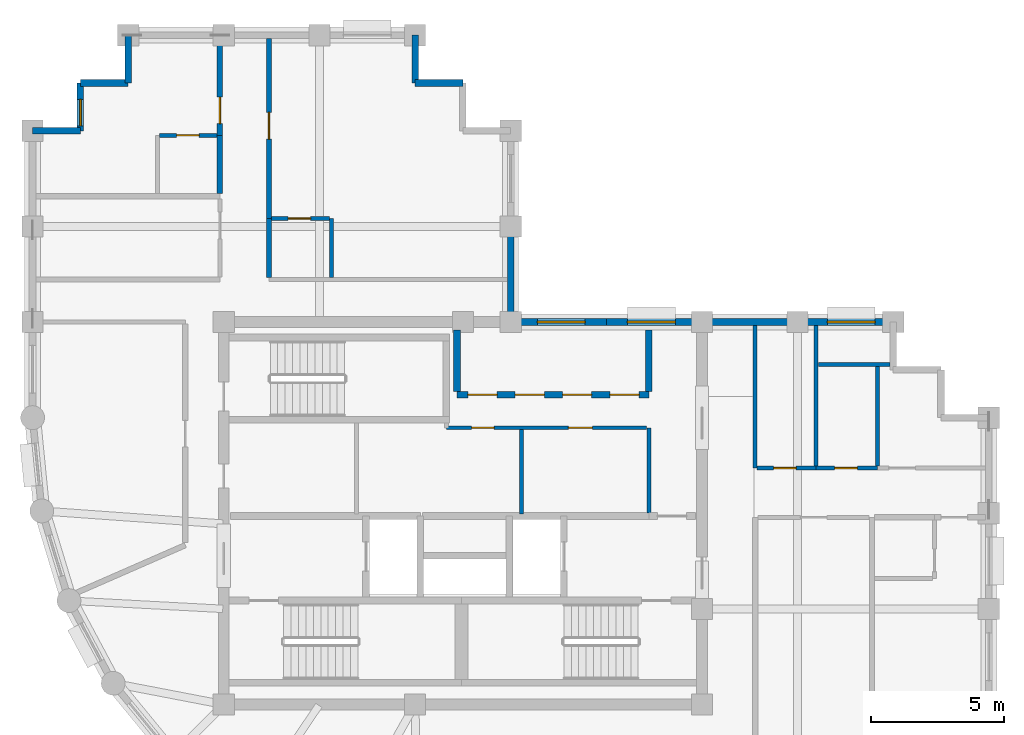
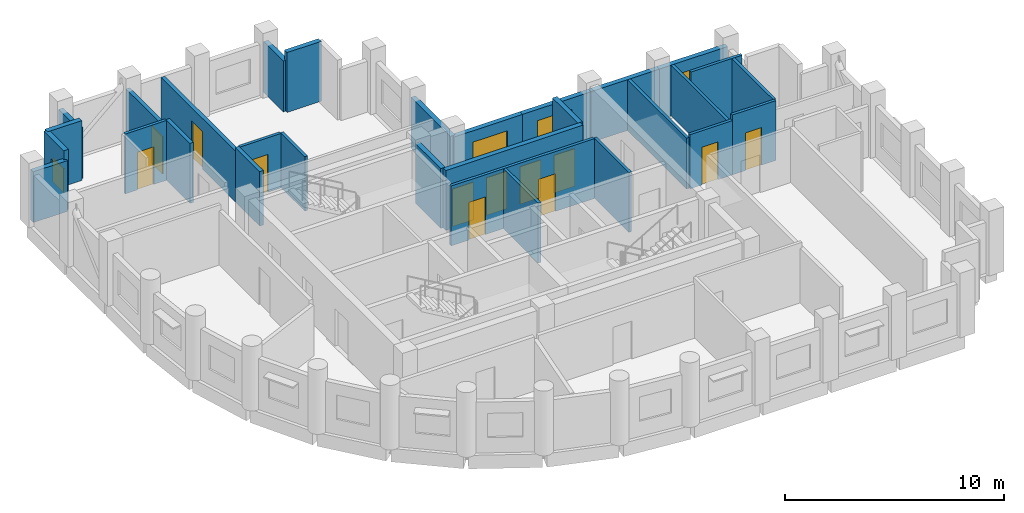
# One storey, part 4 of 7: 30 walls, 12 doors, 4 windows, 16 openings.
"""IFC4 building model written with IfcOpenShell, lengths in metres."""

from ifc_helpers import new_model, si_unit, direction, frame, frame_2d, origin, place, context, subcontext, project, spatial, rectangle, extrude, material, layer, layer_set, type_object, element, fill, save


model = new_model("IFC4")

# Units and contexts
model_context = context("Model", 3, precision=1e-05, world=origin(), true_north=direction((0.0, 1.0)))
body_context = subcontext(model_context, "Body", "Model", "MODEL_VIEW")
ifc_project = project(units=[si_unit("LENGTHUNIT", "METRE"), si_unit("AREAUNIT", "SQUARE_METRE"), si_unit("VOLUMEUNIT", "CUBIC_METRE"), si_unit("PLANEANGLEUNIT", "RADIAN"), si_unit("MASSUNIT", "GRAM", prefix="KILO")], contexts=[model_context])

# Site, building, storey
site_placement = place(None, origin())
site = spatial("IfcSite", under=ifc_project, at=site_placement, CompositionType="ELEMENT")
building_placement = place(site_placement, origin())
building = spatial("IfcBuilding", under=site, at=building_placement, Name="Solnavia Interchange Tower", CompositionType="ELEMENT")
storey_placement = place(building_placement, frame((0.0, 0.0, 235.39990234375)))
storey = spatial("IfcBuildingStorey", under=building, at=storey_placement, Name="L59", CompositionType="ELEMENT", Elevation=235.39990234375)

# Wall
ifc_material_1 = material(Name="Gypsum Acoustic Twin-Stud & Mineral Wool", Category="gypsum")
ifc_layer_1 = layer(ifc_material_1, 0.199951171875)
ifc_layer_set_1 = layer_set([ifc_layer_1], Name="Gypsum Acoustic Twin-Stud & Mineral Wool")
wall_type_1 = type_object("IfcWallType", Name="Wall-ApartmentParty-200", PredefinedType="PARTITIONING", material=ifc_layer_set_1)
wall_1_placement = place(storey_placement, frame((14.25, 30.033935546875, 0.0), z_axis=(0.0, 0.0, 1.0), x_axis=(0.0, 1.0, 0.0)))
element("IfcWall", 1, at=wall_1_placement, inside=storey, type_object=wall_type_1, Name="PTW-L59-28 Interior partition wall", PredefinedType="PARTITIONING", context=body_context, shape_type="SweptSolid", body=[
    extrude(rectangle(XDim=2.196044921875, YDim=0.199951171875, at=frame_2d((1.09814453125, 0.0))), origin(), (0.0, 0.0, 1.0), 3.335205078125),
])

# Wall, opening, door
wall_2_placement = place(storey_placement, frame((14.25, 32.22998046875, 0.0), z_axis=(0.0, 0.0, 1.0), x_axis=(0.0, 1.0, 0.0)))
wall_2 = element("IfcWall", 2, at=wall_2_placement, inside=storey, type_object=wall_type_1, Name="PTW-L59-29 Interior partition wall", PredefinedType="PARTITIONING", context=body_context, shape_type="SweptSolid", body=[
    extrude(rectangle(XDim=3.64111328125, YDim=0.199951171875, at=frame_2d((1.820556640625, 0.0))), origin(), (0.0, 0.0, 1.0), 2.830078125),
])
opening_1_placement = place(wall_2_placement, frame((0.43896484375, 0.0, 0.0)))
opening_1 = element("IfcOpeningElement", 3, at=opening_1_placement, cuts=wall_2, Name="Opening DR-06", PredefinedType="OPENING", context=body_context, shape_type="SweptSolid", body=[
    extrude(rectangle(XDim=1.0, YDim=2.10009765625, at=frame_2d((0.5, 1.050048828125))), frame((0.0, 0.10986328125, 0.0), z_axis=(0.0, -1.0, 0.0), x_axis=(1.0, 0.0, 0.0)), (0.0, 0.0, 1.0), 0.219970703125),
])
ifc_material_2 = material(Name="Engineered Timber Acoustic Fire Door", Category="wood")
door_type_1 = type_object("IfcDoorType", Name="Door-FlatEntry-1000x2100", OperationType="SINGLE_SWING_LEFT", PredefinedType="DOOR", material=ifc_material_2)
door_1_placement = place(opening_1_placement, origin())
door_1 = element("IfcDoor", 4, at=door_1_placement, inside=storey, type_object=door_type_1, Name="DR-L59-13 Interior room door", OperationType="SINGLE_SWING_RIGHT", OverallHeight=2.10009765625, OverallWidth=1.0, PredefinedType="DOOR", context=body_context, shape_type="SweptSolid", body=[
    extrude(rectangle(XDim=1.0, YDim=2.10009765625, at=frame_2d((0.5, 1.050048828125))), frame((0.0, 0.02490234375, 0.0), z_axis=(0.0, -1.0, 0.0), x_axis=(1.0, 0.0, 0.0)), (0.0, 0.0, 1.0), 0.050048828125),
])
fill(opening_1, door_1)

# Wall
wall_3_placement = place(storey_placement, frame((16.10009765625, 26.87890625, 0.0), z_axis=(0.0, 0.0, 1.0), x_axis=(0.0, 1.0, 0.0)))
element("IfcWall", 5, at=wall_3_placement, inside=storey, type_object=wall_type_1, Name="PTW-L59-33 Interior partition wall", PredefinedType="PARTITIONING", context=body_context, shape_type="SweptSolid", body=[
    extrude(rectangle(XDim=2.22119140625, YDim=0.199951171875, at=frame_2d((1.110595703125, 0.0))), origin(), (0.0, 0.0, 1.0), 3.030029296875),
])

# Wall, opening, door
wall_4_placement = place(storey_placement, frame((16.10009765625, 29.10009765625, 0.0), z_axis=(0.0, 0.0, 1.0), x_axis=(0.0, 1.0, 0.0)))
wall_4 = element("IfcWall", 6, at=wall_4_placement, inside=storey, type_object=wall_type_1, Name="PTW-L59-34 Interior partition wall", PredefinedType="PARTITIONING", context=body_context, shape_type="SweptSolid", body=[
    extrude(rectangle(XDim=6.77099609375, YDim=0.199951171875, at=frame_2d((3.385498046875, 0.0))), origin(), (0.0, 0.0, 1.0), 2.830078125),
])
opening_2_placement = place(wall_4_placement, frame((2.989990234375, 0.0, 0.0)))
opening_2 = element("IfcOpeningElement", 7, at=opening_2_placement, cuts=wall_4, Name="Opening DR-06", PredefinedType="OPENING", context=body_context, shape_type="SweptSolid", body=[
    extrude(rectangle(XDim=1.0, YDim=2.10009765625, at=frame_2d((0.5, 1.050048828125))), frame((0.0, 0.10986328125, 0.0), z_axis=(0.0, -1.0, 0.0), x_axis=(1.0, 0.0, 0.0)), (0.0, 0.0, 1.0), 0.219970703125),
])
door_2_placement = place(opening_2_placement, origin())
door_2 = element("IfcDoor", 8, at=door_2_placement, inside=storey, type_object=door_type_1, Name="DR-L59-15 Interior room door", OperationType="SINGLE_SWING_LEFT", OverallHeight=2.10009765625, OverallWidth=1.0, PredefinedType="DOOR", context=body_context, shape_type="SweptSolid", body=[
    extrude(rectangle(XDim=1.0, YDim=2.10009765625, at=frame_2d((0.5, 1.050048828125))), frame((0.0, 0.02490234375, 0.0), z_axis=(0.0, -1.0, 0.0), x_axis=(1.0, 0.0, 0.0)), (0.0, 0.0, 1.0), 0.050048828125),
])
fill(opening_2, door_2)

# Wall, opening, window
ifc_material_3 = material(Name="Concrete C40/50", Category="concrete")
ifc_layer_2 = layer(ifc_material_3, 0.25)
ifc_layer_set_2 = layer_set([ifc_layer_2], Name="Concrete C40/50")
wall_type_2 = type_object("IfcWallType", Name="Wall-ExtSpandrel-250", PredefinedType="STANDARD", material=ifc_layer_set_2)
wall_5_placement = place(storey_placement, frame((36.0, 25.199951171875, 0.0), z_axis=(0.0, 0.0, 1.0), x_axis=(1.0, 0.0, 0.0)))
wall_5 = element("IfcWall", 9, at=wall_5_placement, inside=storey, type_object=wall_type_2, Name="EXW-L59-17 Exterior precast spandrel wall", PredefinedType="STANDARD", context=body_context, shape_type="SweptSolid", body=[
    extrude(rectangle(XDim=3.60009765625, YDim=0.25, at=frame_2d((1.800048828125, 0.0))), origin(), (0.0, 0.0, 1.0), 2.830078125),
])
opening_3_placement = place(wall_5_placement, frame((1.1201171875, 0.0, 0.85009765625)))
opening_3 = element("IfcOpeningElement", 10, at=opening_3_placement, cuts=wall_5, Name="Opening WIN-02", PredefinedType="OPENING", context=body_context, shape_type="SweptSolid", body=[
    extrude(rectangle(XDim=1.800048828125, YDim=1.35009765625, at=frame_2d((0.89990234375, 0.675048828125))), frame((0.0, 0.135009765625, 0.0), z_axis=(0.0, -1.0, 0.0), x_axis=(1.0, 0.0, 0.0)), (0.0, 0.0, 1.0), 0.27001953125),
])
ifc_material_4 = material(Name="Thermal-Break Aluminium & Low-E Glass", Category="aluminium")
window_type_1 = type_object("IfcWindowType", Name="Window-Ribbon-1800x1350", PartitioningType="SINGLE_PANEL", PredefinedType="WINDOW", material=ifc_material_4)
window_1_placement = place(opening_3_placement, origin())
window_1 = element("IfcWindow", 11, at=window_1_placement, inside=storey, type_object=window_type_1, Name="WIN-L59-17 Facade ribbon window", OverallHeight=1.35009765625, OverallWidth=1.800048828125, PartitioningType="SINGLE_PANEL", PredefinedType="WINDOW", context=body_context, shape_type="SweptSolid", body=[
    extrude(rectangle(XDim=1.800048828125, YDim=1.35009765625, at=frame_2d((0.89990234375, 0.675048828125))), frame((0.0, 0.030029296875, 0.0), z_axis=(0.0, -1.0, 0.0), x_axis=(1.0, 0.0, 0.0)), (0.0, 0.0, 1.0), 0.06005859375),
])
fill(opening_3, window_1)

# Wall
wall_6_placement = place(storey_placement, frame((32.39990234375, 25.199951171875, 0.0), z_axis=(0.0, 0.0, 1.0), x_axis=(1.0, 0.0, 0.0)))
element("IfcWall", 12, at=wall_6_placement, inside=storey, type_object=wall_type_2, Name="EXW-L59-18 Exterior precast spandrel wall", PredefinedType="STANDARD", context=body_context, shape_type="SweptSolid", body=[
    extrude(rectangle(XDim=3.60009765625, YDim=0.25, at=frame_2d((1.800048828125, 0.0))), origin(), (0.0, 0.0, 1.0), 2.830078125),
])

# Wall, opening, window
wall_7_placement = place(storey_placement, frame((28.800048828125, 25.199951171875, 0.0), z_axis=(0.0, 0.0, 1.0), x_axis=(1.0, 0.0, 0.0)))
wall_7 = element("IfcWall", 13, at=wall_7_placement, inside=storey, type_object=wall_type_2, Name="EXW-L59-19 Exterior precast spandrel wall", PredefinedType="STANDARD", context=body_context, shape_type="SweptSolid", body=[
    extrude(rectangle(XDim=3.599853515625, YDim=0.25, at=frame_2d((1.7998046875, 0.0))), origin(), (0.0, 0.0, 1.0), 2.830078125),
])
opening_4_placement = place(wall_7_placement, frame((0.794921875, 0.0, 0.85009765625)))
opening_4 = element("IfcOpeningElement", 14, at=opening_4_placement, cuts=wall_7, Name="Opening WIN-02", PredefinedType="OPENING", context=body_context, shape_type="SweptSolid", body=[
    extrude(rectangle(XDim=1.800048828125, YDim=1.35009765625, at=frame_2d((0.89990234375, 0.675048828125))), frame((0.0, 0.135009765625, 0.0), z_axis=(0.0, -1.0, 0.0), x_axis=(1.0, 0.0, 0.0)), (0.0, 0.0, 1.0), 0.27001953125),
])
window_2_placement = place(opening_4_placement, origin())
window_2 = element("IfcWindow", 15, at=window_2_placement, inside=storey, type_object=window_type_1, Name="WIN-L59-19 Facade ribbon window", OverallHeight=1.35009765625, OverallWidth=1.800048828125, PartitioningType="SINGLE_PANEL", PredefinedType="WINDOW", context=body_context, shape_type="SweptSolid", body=[
    extrude(rectangle(XDim=1.800048828125, YDim=1.35009765625, at=frame_2d((0.89990234375, 0.675048828125))), frame((0.0, 0.030029296875, 0.0), z_axis=(0.0, -1.0, 0.0), x_axis=(1.0, 0.0, 0.0)), (0.0, 0.0, 1.0), 0.06005859375),
])
fill(opening_4, window_2)

wall_8_placement = place(storey_placement, frame((25.199951171875, 25.199951171875, 0.0), z_axis=(0.0, 0.0, 1.0), x_axis=(1.0, 0.0, 0.0)))
wall_8 = element("IfcWall", 16, at=wall_8_placement, inside=storey, type_object=wall_type_2, Name="EXW-L59-20 Exterior precast spandrel wall", PredefinedType="STANDARD", context=body_context, shape_type="SweptSolid", body=[
    extrude(rectangle(XDim=3.60009765625, YDim=0.25, at=frame_2d((1.800048828125, 0.0))), origin(), (0.0, 0.0, 1.0), 2.830078125),
])
opening_5_placement = place(wall_8_placement, frame((1.0048828125, 0.0, 0.85009765625)))
opening_5 = element("IfcOpeningElement", 17, at=opening_5_placement, cuts=wall_8, Name="Opening WIN-02", PredefinedType="OPENING", context=body_context, shape_type="SweptSolid", body=[
    extrude(rectangle(XDim=1.800048828125, YDim=1.35009765625, at=frame_2d((0.89990234375, 0.675048828125))), frame((0.0, 0.135009765625, 0.0), z_axis=(0.0, -1.0, 0.0), x_axis=(1.0, 0.0, 0.0)), (0.0, 0.0, 1.0), 0.27001953125),
])
window_3_placement = place(opening_5_placement, origin())
window_3 = element("IfcWindow", 18, at=window_3_placement, inside=storey, type_object=window_type_1, Name="WIN-L59-20 Facade ribbon window", OverallHeight=1.35009765625, OverallWidth=1.800048828125, PartitioningType="SINGLE_PANEL", PredefinedType="WINDOW", context=body_context, shape_type="SweptSolid", body=[
    extrude(rectangle(XDim=1.800048828125, YDim=1.35009765625, at=frame_2d((0.89990234375, 0.675048828125))), frame((0.0, 0.030029296875, 0.0), z_axis=(0.0, -1.0, 0.0), x_axis=(1.0, 0.0, 0.0)), (0.0, 0.0, 1.0), 0.06005859375),
])
fill(opening_5, window_3)

# Walls
wall_9_placement = place(storey_placement, frame((25.199951171875, 28.800048828125, 0.0), z_axis=(0.0, 0.0, 1.0), x_axis=(0.0, -1.0, 0.0)))
element("IfcWall", 19, at=wall_9_placement, inside=storey, type_object=wall_type_2, Name="EXW-L59-21 Exterior precast spandrel wall", PredefinedType="STANDARD", context=body_context, shape_type="SweptSolid", body=[
    extrude(rectangle(XDim=3.60009765625, YDim=0.25, at=frame_2d((1.800048828125, 0.0))), origin(), (0.0, 0.0, 1.0), 2.830078125),
])
wall_10_placement = place(storey_placement, frame((21.60009765625, 34.199951171875, 0.0), z_axis=(0.0, 0.0, 1.0), x_axis=(1.0, 0.0, 0.0)))
element("IfcWall", 20, at=wall_10_placement, inside=storey, type_object=wall_type_2, Name="EXW-L59-25 Exterior precast spandrel wall", PredefinedType="STANDARD", context=body_context, shape_type="SweptSolid", body=[
    extrude(rectangle(XDim=1.7998046875, YDim=0.25, at=frame_2d((0.89990234375, 0.0))), origin(), (0.0, 0.0, 1.0), 3.335205078125),
])
for number, where, z_axis, x_axis, name in (
    (21, (21.60009765625, 34.199951171875, 0.0), (0.0, 0.0, 1.0), (0.0, 1.0, 0.0), "EXW-L59-26 Exterior precast spandrel wall"),
    (22, (10.800048828125, 34.199951171875, 0.0), (0.0, 0.0, 1.0), (0.0, 1.0, 0.0), "EXW-L59-30 Exterior precast spandrel wall"),
):
    element("IfcWall", number, at=place(storey_placement, frame(where, z_axis=z_axis, x_axis=x_axis)), inside=storey, type_object=wall_type_2, Name=name, PredefinedType="STANDARD", context=body_context, shape_type="SweptSolid", body=[
        extrude(rectangle(XDim=1.800048828125, YDim=0.25, at=frame_2d((0.89990234375, 0.0))), origin(), (0.0, 0.0, 1.0), 2.830078125),
    ])
wall_11_placement = place(storey_placement, frame((9.0, 34.199951171875, 0.0), z_axis=(0.0, 0.0, 1.0), x_axis=(1.0, 0.0, 0.0)))
element("IfcWall", 23, at=wall_11_placement, inside=storey, type_object=wall_type_2, Name="EXW-L59-31 Exterior precast spandrel wall", PredefinedType="STANDARD", context=body_context, shape_type="SweptSolid", body=[
    extrude(rectangle(XDim=1.800048828125, YDim=0.25, at=frame_2d((0.89990234375, 0.0))), origin(), (0.0, 0.0, 1.0), 3.335205078125),
])

# Wall, opening, window
wall_12_placement = place(storey_placement, frame((9.0, 32.39990234375, 0.0), z_axis=(0.0, 0.0, 1.0), x_axis=(0.0, 1.0, 0.0)))
wall_12 = element("IfcWall", 24, at=wall_12_placement, inside=storey, type_object=wall_type_2, Name="EXW-L59-32 Exterior precast spandrel wall", PredefinedType="STANDARD", context=body_context, shape_type="SweptSolid", body=[
    extrude(rectangle(XDim=1.800048828125, YDim=0.25, at=frame_2d((0.89990234375, 0.0))), origin(), (0.0, 0.0, 1.0), 3.335205078125),
])
opening_6_placement = place(wall_12_placement, frame((0.179931640625, 0.0, 0.85009765625)))
opening_6 = element("IfcOpeningElement", 25, at=opening_6_placement, cuts=wall_12, Name="Opening WIN-07", PredefinedType="OPENING", context=body_context, shape_type="SweptSolid", body=[
    extrude(rectangle(XDim=1.0, YDim=1.35009765625, at=frame_2d((0.5, 0.675048828125))), frame((0.0, 0.135009765625, 0.0), z_axis=(0.0, -1.0, 0.0), x_axis=(1.0, 0.0, 0.0)), (0.0, 0.0, 1.0), 0.27001953125),
])
window_type_2 = type_object("IfcWindowType", Name="Window-Bedroom-1000x1350", PartitioningType="SINGLE_PANEL", PredefinedType="WINDOW", material=ifc_material_4)
window_4_placement = place(opening_6_placement, origin())
window_4 = element("IfcWindow", 26, at=window_4_placement, inside=storey, type_object=window_type_2, Name="WIN-L59-DW01 Dwelling bedroom window", OverallHeight=1.35009765625, OverallWidth=1.0, PartitioningType="SINGLE_PANEL", PredefinedType="WINDOW", context=body_context, shape_type="SweptSolid", body=[
    extrude(rectangle(XDim=1.0, YDim=1.35009765625, at=frame_2d((0.5, 0.675048828125))), frame((0.0, 0.030029296875, 0.0), z_axis=(0.0, -1.0, 0.0), x_axis=(1.0, 0.0, 0.0)), (0.0, 0.0, 1.0), 0.06005859375),
])
fill(opening_6, window_4)

# Wall
wall_13_placement = place(storey_placement, frame((7.199951171875, 32.39990234375, 0.0), z_axis=(0.0, 0.0, 1.0), x_axis=(1.0, 0.0, 0.0)))
element("IfcWall", 27, at=wall_13_placement, inside=storey, type_object=wall_type_2, Name="EXW-L59-33 Exterior precast spandrel wall", PredefinedType="STANDARD", context=body_context, shape_type="SweptSolid", body=[
    extrude(rectangle(XDim=1.800048828125, YDim=0.25, at=frame_2d((0.89990234375, 0.0))), origin(), (0.0, 0.0, 1.0), 2.830078125),
])

# Wall, openings, doors
ifc_material_5 = material(Name="Gypsum Plasterboard & Steel Stud", Category="steel")
ifc_layer_3 = layer(ifc_material_5, 0.14990234375)
ifc_layer_set_3 = layer_set([ifc_layer_3], Name="Gypsum Plasterboard & Steel Stud")
wall_type_3 = type_object("IfcWallType", Name="Wall-Partition-150", PredefinedType="PARTITIONING", material=ifc_layer_set_3)
wall_14_placement = place(storey_placement, frame((22.77490234375, 21.219970703125, 0.0), z_axis=(0.0, 0.0, 1.0), x_axis=(1.0, 0.0, 0.0)))
wall_14 = element("IfcWall", 28, at=wall_14_placement, inside=storey, type_object=wall_type_3, Name="CSW-L59-N-ALL Core shaft wall", PredefinedType="PARTITIONING", context=body_context, shape_type="SweptSolid", body=[
    extrude(rectangle(XDim=7.545166015625, YDim=0.14990234375, at=frame_2d((3.7724609375, 0.0))), origin(), (0.0, 0.0, 1.0), 3.335205078125),
])
opening_7_placement = place(wall_14_placement, frame((0.949951171875, 0.0, 0.0)))
opening_7 = element("IfcOpeningElement", 29, at=opening_7_placement, cuts=wall_14, Name="Opening DR-10", PredefinedType="OPENING", context=body_context, shape_type="SweptSolid", body=[
    extrude(rectangle(XDim=0.85009765625, YDim=2.10009765625, at=frame_2d((0.425048828125, 1.050048828125))), frame((0.0, 0.0849609375, 0.0), z_axis=(0.0, -1.0, 0.0), x_axis=(1.0, 0.0, 0.0)), (0.0, 0.0, 1.0), 0.169921875),
])
opening_8_placement = place(wall_14_placement, frame((4.60009765625, 0.0, 0.0)))
opening_8 = element("IfcOpeningElement", 30, at=opening_8_placement, cuts=wall_14, Name="Opening DR-09", PredefinedType="OPENING", context=body_context, shape_type="SweptSolid", body=[
    extrude(rectangle(XDim=0.89990234375, YDim=2.10009765625, at=frame_2d((0.449951171875, 1.050048828125))), frame((0.0, 0.0849609375, 0.0), z_axis=(0.0, -1.0, 0.0), x_axis=(1.0, 0.0, 0.0)), (0.0, 0.0, 1.0), 0.169921875),
])
ifc_material_6 = material(Name="Moisture-Resistant Timber Door", Category="wood")
door_type_2 = type_object("IfcDoorType", Name="Door-Bathroom-850x2100", OperationType="SINGLE_SWING_RIGHT", PredefinedType="DOOR", material=ifc_material_6)
door_3_placement = place(opening_7_placement, origin())
door_3 = element("IfcDoor", 31, at=door_3_placement, inside=storey, type_object=door_type_2, Name="DR-L59-CS2 Core fire door", OperationType="SINGLE_SWING_LEFT", OverallHeight=2.10009765625, OverallWidth=0.85009765625, PredefinedType="DOOR", context=body_context, shape_type="SweptSolid", body=[
    extrude(rectangle(XDim=0.85009765625, YDim=2.10009765625, at=frame_2d((0.425048828125, 1.050048828125))), frame((0.0, 0.02490234375, 0.0), z_axis=(0.0, -1.0, 0.0), x_axis=(1.0, 0.0, 0.0)), (0.0, 0.0, 1.0), 0.050048828125),
])
fill(opening_7, door_3)
ifc_material_7 = material(Name="Engineered Oak Veneer Door", Category="wood")
door_type_3 = type_object("IfcDoorType", Name="Door-Internal-900x2100", OperationType="SINGLE_SWING_LEFT", PredefinedType="DOOR", material=ifc_material_7)
door_4_placement = place(opening_8_placement, origin())
door_4 = element("IfcDoor", 32, at=door_4_placement, inside=storey, type_object=door_type_3, Name="DR-L59-CS3 Core fire door", OperationType="SINGLE_SWING_RIGHT", OverallHeight=2.10009765625, OverallWidth=0.89990234375, PredefinedType="DOOR", context=body_context, shape_type="SweptSolid", body=[
    extrude(rectangle(XDim=0.89990234375, YDim=2.10009765625, at=frame_2d((0.449951171875, 1.050048828125))), frame((0.0, 0.02490234375, 0.0), z_axis=(0.0, -1.0, 0.0), x_axis=(1.0, 0.0, 0.0)), (0.0, 0.0, 1.0), 0.050048828125),
])
fill(opening_8, door_4)

# Walls
wall_15_placement = place(storey_placement, frame((30.39990234375, 18.02001953125, 0.0), z_axis=(0.0, 0.0, 1.0), x_axis=(0.0, 1.0, 0.0)))
element("IfcWall", 33, at=wall_15_placement, inside=storey, type_object=wall_type_3, Name="CSW-L59-E-E Core shaft wall", PredefinedType="PARTITIONING", context=body_context, shape_type="SweptSolid", body=[
    extrude(rectangle(XDim=3.199951171875, YDim=0.14990234375, at=frame_2d((1.60009765625, 0.0))), origin(), (0.0, 0.0, 1.0), 3.335205078125),
])
wall_16_placement = place(storey_placement, frame((25.60009765625, 17.97998046875, 0.0), z_axis=(0.0, 0.0, 1.0), x_axis=(0.0, 1.0, 0.0)))
element("IfcWall", 34, at=wall_16_placement, inside=storey, type_object=wall_type_3, Name="CSW-L59-M2 Core shaft wall", PredefinedType="PARTITIONING", context=body_context, shape_type="SweptSolid", body=[
    extrude(rectangle(XDim=3.169921875, YDim=0.14990234375, at=frame_2d((1.5849609375, 0.0))), origin(), (0.0, 0.0, 1.0), 3.335205078125),
])

# Wall, openings, doors
ifc_layer_4 = layer(ifc_material_3, 0.25)
ifc_layer_set_4 = layer_set([ifc_layer_4], Name="Concrete C40/50")
wall_type_4 = type_object("IfcWallType", Name="Wall-ShaftPart-250", PredefinedType="PARTITIONING", material=ifc_layer_set_4)
wall_17_placement = place(storey_placement, frame((23.179931640625, 22.4599609375, 0.0), z_axis=(0.0, 0.0, 1.0), x_axis=(1.0, 0.0, 0.0)))
wall_17 = element("IfcWall", 35, at=wall_17_placement, inside=storey, type_object=wall_type_4, Name="SHW-L59-B3S Core shaft wall", PredefinedType="PARTITIONING", context=body_context, shape_type="SweptSolid", body=[
    extrude(rectangle(XDim=7.219970703125, YDim=0.25, at=frame_2d((3.60986328125, 0.0))), origin(), (0.0, 0.0, 1.0), 3.335205078125),
])
opening_9_placement = place(wall_17_placement, frame((0.409912109375, 0.0, 0.0)))
opening_9 = element("IfcOpeningElement", 36, at=opening_9_placement, cuts=wall_17, Name="Opening LD-01", PredefinedType="OPENING", context=body_context, shape_type="SweptSolid", body=[
    extrude(rectangle(XDim=1.10009765625, YDim=2.10009765625, at=frame_2d((0.550048828125, 1.050048828125))), frame((0.0, 0.135009765625, 0.0), z_axis=(0.0, -1.0, 0.0), x_axis=(1.0, 0.0, 0.0)), (0.0, 0.0, 1.0), 0.27001953125),
])
opening_10_placement = place(wall_17_placement, frame((2.18994140625, 0.0, 0.0)))
opening_10 = element("IfcOpeningElement", 37, at=opening_10_placement, cuts=wall_17, Name="Opening LD-01", PredefinedType="OPENING", context=body_context, shape_type="SweptSolid", body=[
    extrude(rectangle(XDim=1.10009765625, YDim=2.10009765625, at=frame_2d((0.550048828125, 1.050048828125))), frame((0.0, 0.135009765625, 0.0), z_axis=(0.0, -1.0, 0.0), x_axis=(1.0, 0.0, 0.0)), (0.0, 0.0, 1.0), 0.27001953125),
])
opening_11_placement = place(wall_17_placement, frame((3.969970703125, 0.0, 0.0)))
opening_11 = element("IfcOpeningElement", 38, at=opening_11_placement, cuts=wall_17, Name="Opening LD-01", PredefinedType="OPENING", context=body_context, shape_type="SweptSolid", body=[
    extrude(rectangle(XDim=1.10009765625, YDim=2.10009765625, at=frame_2d((0.550048828125, 1.050048828125))), frame((0.0, 0.135009765625, 0.0), z_axis=(0.0, -1.0, 0.0), x_axis=(1.0, 0.0, 0.0)), (0.0, 0.0, 1.0), 0.27001953125),
])
opening_12_placement = place(wall_17_placement, frame((5.75, 0.0, 0.0)))
opening_12 = element("IfcOpeningElement", 39, at=opening_12_placement, cuts=wall_17, Name="Opening LD-01", PredefinedType="OPENING", context=body_context, shape_type="SweptSolid", body=[
    extrude(rectangle(XDim=1.10009765625, YDim=2.10009765625, at=frame_2d((0.550048828125, 1.050048828125))), frame((0.0, 0.135009765625, 0.0), z_axis=(0.0, -1.0, 0.0), x_axis=(1.0, 0.0, 0.0)), (0.0, 0.0, 1.0), 0.27001953125),
])
ifc_material_8 = material(Name="Brushed Stainless Steel Sliding Door", Category="steel")
door_type_4 = type_object("IfcDoorType", Name="Door-LiftLanding-1100x2100", OperationType="SLIDING_TO_LEFT", PredefinedType="DOOR", material=ifc_material_8)
door_5_placement = place(opening_9_placement, origin())
door_5 = element("IfcDoor", 40, at=door_5_placement, inside=storey, type_object=door_type_4, Name="LD-L59-B3-1 Lift landing sliding door", OperationType="SLIDING_TO_LEFT", OverallHeight=2.10009765625, OverallWidth=1.10009765625, PredefinedType="DOOR", context=body_context, shape_type="SweptSolid", body=[
    extrude(rectangle(XDim=1.10009765625, YDim=2.10009765625, at=frame_2d((0.550048828125, 1.050048828125))), frame((0.0, 0.02490234375, 0.0), z_axis=(0.0, -1.0, 0.0), x_axis=(1.0, 0.0, 0.0)), (0.0, 0.0, 1.0), 0.050048828125),
])
fill(opening_9, door_5)
door_6_placement = place(opening_10_placement, origin())
door_6 = element("IfcDoor", 41, at=door_6_placement, inside=storey, type_object=door_type_4, Name="LD-L59-B3-2 Lift landing sliding door", OperationType="SLIDING_TO_LEFT", OverallHeight=2.10009765625, OverallWidth=1.10009765625, PredefinedType="DOOR", context=body_context, shape_type="SweptSolid", body=[
    extrude(rectangle(XDim=1.10009765625, YDim=2.10009765625, at=frame_2d((0.550048828125, 1.050048828125))), frame((0.0, 0.02490234375, 0.0), z_axis=(0.0, -1.0, 0.0), x_axis=(1.0, 0.0, 0.0)), (0.0, 0.0, 1.0), 0.050048828125),
])
fill(opening_10, door_6)
door_7_placement = place(opening_11_placement, origin())
door_7 = element("IfcDoor", 42, at=door_7_placement, inside=storey, type_object=door_type_4, Name="LD-L59-B3-3 Lift landing sliding door", OperationType="SLIDING_TO_LEFT", OverallHeight=2.10009765625, OverallWidth=1.10009765625, PredefinedType="DOOR", context=body_context, shape_type="SweptSolid", body=[
    extrude(rectangle(XDim=1.10009765625, YDim=2.10009765625, at=frame_2d((0.550048828125, 1.050048828125))), frame((0.0, 0.02490234375, 0.0), z_axis=(0.0, -1.0, 0.0), x_axis=(1.0, 0.0, 0.0)), (0.0, 0.0, 1.0), 0.050048828125),
])
fill(opening_11, door_7)
door_8_placement = place(opening_12_placement, origin())
door_8 = element("IfcDoor", 43, at=door_8_placement, inside=storey, type_object=door_type_4, Name="LD-L59-B3-4 Lift landing sliding door", OperationType="SLIDING_TO_LEFT", OverallHeight=2.10009765625, OverallWidth=1.10009765625, PredefinedType="DOOR", context=body_context, shape_type="SweptSolid", body=[
    extrude(rectangle(XDim=1.10009765625, YDim=2.10009765625, at=frame_2d((0.550048828125, 1.050048828125))), frame((0.0, 0.02490234375, 0.0), z_axis=(0.0, -1.0, 0.0), x_axis=(1.0, 0.0, 0.0)), (0.0, 0.0, 1.0), 0.050048828125),
])
fill(opening_12, door_8)

# Walls
for number, where, z_axis, x_axis, name in (
    (44, (23.179931640625, 22.5849609375, 0.0), (0.0, 0.0, 1.0), (0.0, 1.0, 0.0), "SHW-L59-B3W Core shaft wall"),
    (45, (30.39990234375, 22.5849609375, 0.0), (0.0, 0.0, 1.0), (0.0, 1.0, 0.0), "SHW-L59-B3E Core shaft wall"),
):
    element("IfcWall", number, at=place(storey_placement, frame(where, z_axis=z_axis, x_axis=x_axis)), inside=storey, type_object=wall_type_4, Name=name, PredefinedType="PARTITIONING", context=body_context, shape_type="SweptSolid", body=[
        extrude(rectangle(XDim=2.31494140625, YDim=0.25, at=frame_2d((1.157470703125, 0.0))), origin(), (0.0, 0.0, 1.0), 3.335205078125),
    ])
ifc_material_9 = material(Name="Moisture-Resistant Gypsum & Steel Stud", Category="steel")
ifc_layer_5 = layer(ifc_material_9, 0.14990234375)
ifc_layer_set_5 = layer_set([ifc_layer_5], Name="Moisture-Resistant Gypsum & Steel Stud")
wall_type_5 = type_object("IfcWallType", Name="Wall-WetRoom-150", PredefinedType="PARTITIONING", material=ifc_layer_set_5)
wall_18_placement = place(storey_placement, frame((34.39990234375, 19.699951171875, 0.0), z_axis=(0.0, 0.0, 1.0), x_axis=(0.0, 1.0, 0.0)))
element("IfcWall", 46, at=wall_18_placement, inside=storey, type_object=wall_type_5, Name="PTW-L59-01 Interior partition wall", PredefinedType="PARTITIONING", context=body_context, shape_type="SweptSolid", body=[
    extrude(rectangle(XDim=5.37109375, YDim=0.14990234375, at=frame_2d((2.685546875, 0.0))), origin(), (0.0, 0.0, 1.0), 2.830078125),
])

# Wall, opening, door
wall_19_placement = place(storey_placement, frame((34.47900390625, 19.699951171875, 0.0), z_axis=(0.0, 0.0, 1.0), x_axis=(1.0, 0.0, 0.0)))
wall_19 = element("IfcWall", 47, at=wall_19_placement, inside=storey, type_object=wall_type_5, Name="PTW-L59-02 Interior partition wall", PredefinedType="PARTITIONING", context=body_context, shape_type="SweptSolid", body=[
    extrude(rectangle(XDim=2.220947265625, YDim=0.14990234375, at=frame_2d((1.1103515625, 0.0))), origin(), (0.0, 0.0, 1.0), 3.02001953125),
])
opening_13_placement = place(wall_19_placement, frame((0.617919921875, 0.0, 0.0)))
opening_13 = element("IfcOpeningElement", 48, at=opening_13_placement, cuts=wall_19, Name="Opening DR-10", PredefinedType="OPENING", context=body_context, shape_type="SweptSolid", body=[
    extrude(rectangle(XDim=0.85009765625, YDim=2.10009765625, at=frame_2d((0.425048828125, 1.050048828125))), frame((0.0, 0.0849609375, 0.0), z_axis=(0.0, -1.0, 0.0), x_axis=(1.0, 0.0, 0.0)), (0.0, 0.0, 1.0), 0.169921875),
])
door_9_placement = place(opening_13_placement, origin())
door_9 = element("IfcDoor", 49, at=door_9_placement, inside=storey, type_object=door_type_2, Name="DR-L59-01 Interior room door", OperationType="SINGLE_SWING_LEFT", OverallHeight=2.10009765625, OverallWidth=0.85009765625, PredefinedType="DOOR", context=body_context, shape_type="SweptSolid", body=[
    extrude(rectangle(XDim=0.85009765625, YDim=2.10009765625, at=frame_2d((0.425048828125, 1.050048828125))), frame((0.0, 0.02490234375, 0.0), z_axis=(0.0, -1.0, 0.0), x_axis=(1.0, 0.0, 0.0)), (0.0, 0.0, 1.0), 0.050048828125),
])
fill(opening_13, door_9)

# Wall
wall_20_placement = place(storey_placement, frame((36.699951171875, 19.779052734375, 0.0), z_axis=(0.0, 0.0, 1.0), x_axis=(0.0, 1.0, 0.0)))
element("IfcWall", 50, at=wall_20_placement, inside=storey, type_object=wall_type_5, Name="PTW-L59-03 Interior partition wall", PredefinedType="PARTITIONING", context=body_context, shape_type="SweptSolid", body=[
    extrude(rectangle(XDim=5.2919921875, YDim=0.14990234375, at=frame_2d((2.64599609375, 0.0))), origin(), (0.0, 0.0, 1.0), 2.830078125),
])

# Wall, opening, door
wall_21_placement = place(storey_placement, frame((36.699951171875, 19.699951171875, 0.0), z_axis=(0.0, 0.0, 1.0), x_axis=(1.0, 0.0, 0.0)))
wall_21 = element("IfcWall", 51, at=wall_21_placement, inside=storey, type_object=wall_type_5, Name="PTW-L59-04 Interior partition wall", PredefinedType="PARTITIONING", context=body_context, shape_type="SweptSolid", body=[
    extrude(rectangle(XDim=2.300048828125, YDim=0.14990234375, at=frame_2d((1.14990234375, 0.0))), origin(), (0.0, 0.0, 1.0), 3.335205078125),
])
opening_14_placement = place(wall_21_placement, frame((0.697021484375, 0.0, 0.0)))
opening_14 = element("IfcOpeningElement", 52, at=opening_14_placement, cuts=wall_21, Name="Opening DR-10", PredefinedType="OPENING", context=body_context, shape_type="SweptSolid", body=[
    extrude(rectangle(XDim=0.85009765625, YDim=2.10009765625, at=frame_2d((0.425048828125, 1.050048828125))), frame((0.0, 0.0849609375, 0.0), z_axis=(0.0, -1.0, 0.0), x_axis=(1.0, 0.0, 0.0)), (0.0, 0.0, 1.0), 0.169921875),
])
door_10_placement = place(opening_14_placement, origin())
door_10 = element("IfcDoor", 53, at=door_10_placement, inside=storey, type_object=door_type_2, Name="DR-L59-02 Interior room door", OperationType="SINGLE_SWING_RIGHT", OverallHeight=2.10009765625, OverallWidth=0.85009765625, PredefinedType="DOOR", context=body_context, shape_type="SweptSolid", body=[
    extrude(rectangle(XDim=0.85009765625, YDim=2.10009765625, at=frame_2d((0.425048828125, 1.050048828125))), frame((0.0, 0.02490234375, 0.0), z_axis=(0.0, -1.0, 0.0), x_axis=(1.0, 0.0, 0.0)), (0.0, 0.0, 1.0), 0.050048828125),
])
fill(opening_14, door_10)

# Walls
wall_22_placement = place(storey_placement, frame((39.0, 19.779052734375, 0.0), z_axis=(0.0, 0.0, 1.0), x_axis=(0.0, 1.0, 0.0)))
element("IfcWall", 54, at=wall_22_placement, inside=storey, type_object=wall_type_5, Name="PTW-L59-05 Interior partition wall", PredefinedType="PARTITIONING", context=body_context, shape_type="SweptSolid", body=[
    extrude(rectangle(XDim=3.821044921875, YDim=0.14990234375, at=frame_2d((1.91064453125, 0.0))), origin(), (0.0, 0.0, 1.0), 3.335205078125),
])
wall_23_placement = place(storey_placement, frame((36.779052734375, 23.60009765625, 0.0), z_axis=(0.0, 0.0, 1.0), x_axis=(1.0, 0.0, 0.0)))
element("IfcWall", 55, at=wall_23_placement, inside=storey, type_object=wall_type_5, Name="PTW-L59-06 Interior partition wall", PredefinedType="PARTITIONING", context=body_context, shape_type="SweptSolid", body=[
    extrude(rectangle(XDim=2.69189453125, YDim=0.14990234375, at=frame_2d((1.345947265625, 0.0))), origin(), (0.0, 0.0, 1.0), 3.335205078125),
])

# Wall, opening, door
wall_24_placement = place(storey_placement, frame((11.97900390625, 32.22998046875, 0.0), z_axis=(0.0, 0.0, 1.0), x_axis=(1.0, 0.0, 0.0)))
wall_24 = element("IfcWall", 56, at=wall_24_placement, inside=storey, type_object=wall_type_5, Name="PTW-L59-31 Interior partition wall", PredefinedType="PARTITIONING", context=body_context, shape_type="SweptSolid", body=[
    extrude(rectangle(XDim=2.1669921875, YDim=0.14990234375, at=frame_2d((1.08349609375, 0.0))), origin(), (0.0, 0.0, 1.0), 3.335205078125),
])
opening_15_placement = place(wall_24_placement, frame((0.64111328125, 0.0, 0.0)))
opening_15 = element("IfcOpeningElement", 57, at=opening_15_placement, cuts=wall_24, Name="Opening DR-10", PredefinedType="OPENING", context=body_context, shape_type="SweptSolid", body=[
    extrude(rectangle(XDim=0.85009765625, YDim=2.10009765625, at=frame_2d((0.425048828125, 1.050048828125))), frame((0.0, 0.0849609375, 0.0), z_axis=(0.0, -1.0, 0.0), x_axis=(1.0, 0.0, 0.0)), (0.0, 0.0, 1.0), 0.169921875),
])
door_11_placement = place(opening_15_placement, origin())
door_11 = element("IfcDoor", 58, at=door_11_placement, inside=storey, type_object=door_type_2, Name="DR-L59-14 Interior room door", OperationType="SINGLE_SWING_RIGHT", OverallHeight=2.10009765625, OverallWidth=0.85009765625, PredefinedType="DOOR", context=body_context, shape_type="SweptSolid", body=[
    extrude(rectangle(XDim=0.85009765625, YDim=2.10009765625, at=frame_2d((0.425048828125, 1.050048828125))), frame((0.0, 0.02490234375, 0.0), z_axis=(0.0, -1.0, 0.0), x_axis=(1.0, 0.0, 0.0)), (0.0, 0.0, 1.0), 0.050048828125),
])
fill(opening_15, door_11)

# Wall
wall_25_placement = place(storey_placement, frame((18.449951171875, 26.87890625, 0.0), z_axis=(0.0, 0.0, 1.0), x_axis=(0.0, 1.0, 0.0)))
element("IfcWall", 59, at=wall_25_placement, inside=storey, type_object=wall_type_5, Name="PTW-L59-35 Interior partition wall", PredefinedType="PARTITIONING", context=body_context, shape_type="SweptSolid", body=[
    extrude(rectangle(XDim=2.22119140625, YDim=0.14990234375, at=frame_2d((1.110595703125, 0.0))), origin(), (0.0, 0.0, 1.0), 3.030029296875),
])

# Wall, opening, door
wall_26_placement = place(storey_placement, frame((16.2041015625, 29.10009765625, 0.0), z_axis=(0.0, 0.0, 1.0), x_axis=(1.0, 0.0, 0.0)))
wall_26 = element("IfcWall", 60, at=wall_26_placement, inside=storey, type_object=wall_type_5, Name="PTW-L59-36 Interior partition wall", PredefinedType="PARTITIONING", context=body_context, shape_type="SweptSolid", body=[
    extrude(rectangle(XDim=2.1669921875, YDim=0.14990234375, at=frame_2d((1.08349609375, 0.0))), origin(), (0.0, 0.0, 1.0), 3.030029296875),
])
opening_16_placement = place(wall_26_placement, frame((0.615966796875, 0.0, 0.0)))
opening_16 = element("IfcOpeningElement", 61, at=opening_16_placement, cuts=wall_26, Name="Opening DR-10", PredefinedType="OPENING", context=body_context, shape_type="SweptSolid", body=[
    extrude(rectangle(XDim=0.85009765625, YDim=2.10009765625, at=frame_2d((0.425048828125, 1.050048828125))), frame((0.0, 0.0849609375, 0.0), z_axis=(0.0, -1.0, 0.0), x_axis=(1.0, 0.0, 0.0)), (0.0, 0.0, 1.0), 0.169921875),
])
door_12_placement = place(opening_16_placement, origin())
door_12 = element("IfcDoor", 62, at=door_12_placement, inside=storey, type_object=door_type_2, Name="DR-L59-16 Interior room door", OperationType="SINGLE_SWING_RIGHT", OverallHeight=2.10009765625, OverallWidth=0.85009765625, PredefinedType="DOOR", context=body_context, shape_type="SweptSolid", body=[
    extrude(rectangle(XDim=0.85009765625, YDim=2.10009765625, at=frame_2d((0.425048828125, 1.050048828125))), frame((0.0, 0.02490234375, 0.0), z_axis=(0.0, -1.0, 0.0), x_axis=(1.0, 0.0, 0.0)), (0.0, 0.0, 1.0), 0.050048828125),
])
fill(opening_16, door_12)

save(model, "model.ifc")
